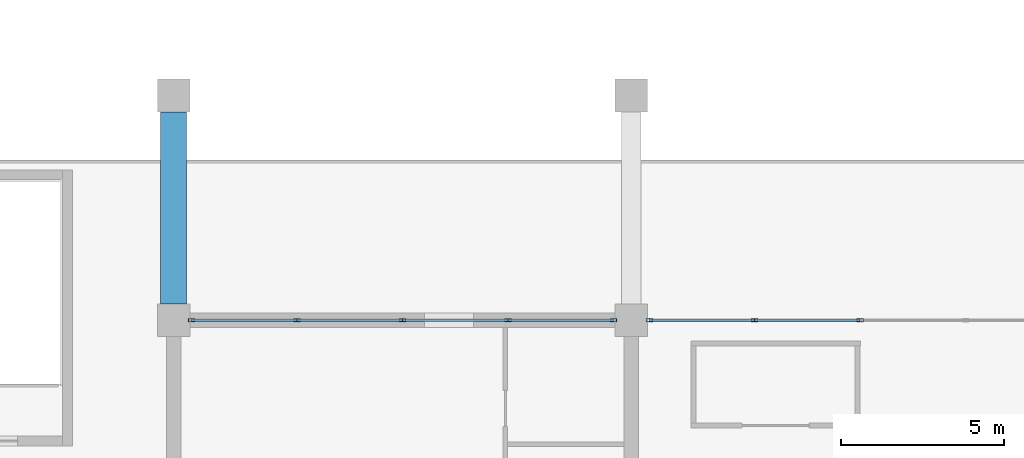
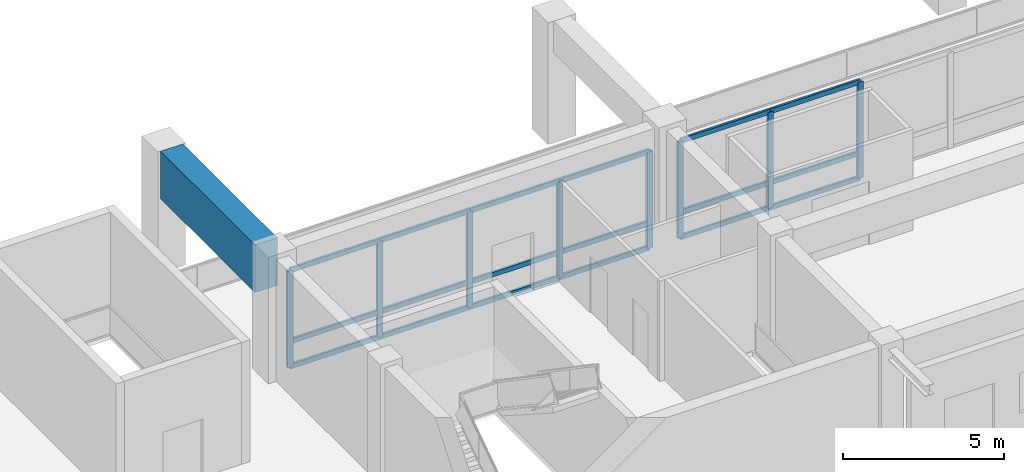
# One storey, part 22 of 91: 26 members, 1 beam, 2 elements without a shape of their own.
"""IFC4 building model written with IfcOpenShell, lengths in metres."""

from ifc_helpers import new_model, si_unit, direction, frame, origin, origin_2d, place, context, subcontext, project, spatial, rectangle, hollow_rectangle, extrude, material, material_profile, profile_set, type_object, element, aggregate, save


model = new_model("IFC4")

# Units and contexts
model_context = context("Model", 3, precision=1e-05, world=origin(), true_north=direction((0.0, 1.0)))
body_context = subcontext(model_context, "Body", "Model", "MODEL_VIEW")
ifc_project = project(units=[si_unit("LENGTHUNIT", "METRE"), si_unit("AREAUNIT", "SQUARE_METRE"), si_unit("VOLUMEUNIT", "CUBIC_METRE"), si_unit("PLANEANGLEUNIT", "RADIAN"), si_unit("MASSUNIT", "GRAM", prefix="KILO")], contexts=[model_context])

# Site, building, storey
site_placement = place(None, origin())
site = spatial("IfcSite", under=ifc_project, at=site_placement, CompositionType="ELEMENT")
building_placement = place(site_placement, origin())
building = spatial("IfcBuilding", under=site, at=building_placement, Name="Linyun Crest Stadium", CompositionType="ELEMENT")
storey_placement = place(building_placement, frame((0.0, 0.0, 11.39990234375)))
storey = spatial("IfcBuildingStorey", under=building, at=storey_placement, Name="L03", CompositionType="ELEMENT", Elevation=11.39990234375)

# Beam
ifc_material_1 = material(Name="Concrete C50", Category="concrete")
ifc_material_profile_1 = material_profile(ifc_material_1, rectangle(XDim=0.800048828125, YDim=1.800048828125, at=origin_2d()), Name="RCB 1800x800")
ifc_profile_set_1 = profile_set([ifc_material_profile_1], Name="Concrete C50")
beam_type = type_object("IfcBeamType", Name="B14", PredefinedType="BEAM", material=ifc_profile_set_1)
beam_placement = place(storey_placement, frame((-28.0, -73.0, 3.72021484375), z_axis=(0.0, 1.0, 0.0), x_axis=(-1.0, 0.0, 0.0)))
element("IfcBeam", 1, at=beam_placement, inside=storey, type_object=beam_type, Name="Frame beam B14 L03 933", PredefinedType="BEAM", context=body_context, shape_type="SweptSolid", body=[
    extrude(rectangle(XDim=0.800048828125, YDim=1.800048828125, at=origin_2d()), origin(), (0.0, 0.0, 1.0), 5.875),
])

# Curtain wall, members
ifc_material_2 = material(Name="Verdigris steel and low-E curtain wall assembly", Category="steel")
curtain_wall_type = type_object("IfcCurtainWallType", Name="MCW02", PredefinedType="NOTDEFINED", material=ifc_material_2)
curtain_wall_1_placement = place(storey_placement, origin())
curtain_wall_1 = element("IfcCurtainWall", 2, at=curtain_wall_1_placement, inside=storey, type_object=curtain_wall_type, Name="CWR-132", PredefinedType="NOTDEFINED")
ifc_material_3 = material(Name="Verdigris painted steel Q355C mullion", Category="steel")
ifc_material_profile_2 = material_profile(ifc_material_3, hollow_rectangle(XDim=0.10009765625, YDim=0.199951171875, WallThickness=0.008056640625, at=origin_2d()), Name="RHS 200x100x8")
ifc_profile_set_2 = profile_set([ifc_material_profile_2], Name="Verdigris painted steel Q355C mullion")
member_type_1 = type_object("IfcMemberType", Name="ML03", PredefinedType="MULLION", material=ifc_profile_set_2)
member_1_placement = place(storey_placement, frame((-27.449951171875, -73.5, 0.0), z_axis=(0.0, 0.0, 1.0), x_axis=(0.0, 1.0, 0.0)))
member_1 = element("IfcMember", 3, at=member_1_placement, type_object=member_type_1, Name="CWR-132 mullion 1", PredefinedType="MULLION", context=body_context, shape_type="SweptSolid", body=[
    extrude(hollow_rectangle(XDim=0.10009765625, YDim=0.199951171875, WallThickness=0.008056640625, at=origin_2d()), origin(), (0.0, 0.0, 1.0), 3.650146484375),
])
member_2_placement = place(storey_placement, frame((-24.22509765625, -73.5, 0.0), z_axis=(0.0, 0.0, 1.0), x_axis=(0.0, 1.0, 0.0)))
member_2 = element("IfcMember", 4, at=member_2_placement, type_object=member_type_1, Name="CWR-132 mullion 2", PredefinedType="MULLION", context=body_context, shape_type="SweptSolid", body=[
    extrude(hollow_rectangle(XDim=0.10009765625, YDim=0.199951171875, WallThickness=0.008056640625, at=origin_2d()), origin(), (0.0, 0.0, 1.0), 3.650146484375),
])
member_3_placement = place(storey_placement, frame((-21.0, -73.5, 0.0), z_axis=(0.0, 0.0, 1.0), x_axis=(0.0, 1.0, 0.0)))
member_3 = element("IfcMember", 5, at=member_3_placement, type_object=member_type_1, Name="CWR-132 mullion 3", PredefinedType="MULLION", context=body_context, shape_type="SweptSolid", body=[
    extrude(hollow_rectangle(XDim=0.10009765625, YDim=0.199951171875, WallThickness=0.008056640625, at=origin_2d()), origin(), (0.0, 0.0, 1.0), 3.650146484375),
])
member_4_placement = place(storey_placement, frame((-17.77490234375, -73.5, 0.0), z_axis=(0.0, 0.0, 1.0), x_axis=(0.0, 1.0, 0.0)))
member_4 = element("IfcMember", 6, at=member_4_placement, type_object=member_type_1, Name="CWR-132 mullion 4", PredefinedType="MULLION", context=body_context, shape_type="SweptSolid", body=[
    extrude(hollow_rectangle(XDim=0.10009765625, YDim=0.199951171875, WallThickness=0.008056640625, at=origin_2d()), origin(), (0.0, 0.0, 1.0), 3.650146484375),
])
member_5_placement = place(storey_placement, frame((-14.550048828125, -73.5, 0.0), z_axis=(0.0, 0.0, 1.0), x_axis=(0.0, 1.0, 0.0)))
member_5 = element("IfcMember", 7, at=member_5_placement, type_object=member_type_1, Name="CWR-132 mullion 5", PredefinedType="MULLION", context=body_context, shape_type="SweptSolid", body=[
    extrude(hollow_rectangle(XDim=0.10009765625, YDim=0.199951171875, WallThickness=0.008056640625, at=origin_2d()), origin(), (0.0, 0.0, 1.0), 3.650146484375),
])

curtain_wall_2_placement = place(storey_placement, origin())
curtain_wall_2 = element("IfcCurtainWall", 8, at=curtain_wall_2_placement, inside=storey, type_object=curtain_wall_type, Name="CWR-139", PredefinedType="NOTDEFINED")
member_6_placement = place(storey_placement, frame((-13.449951171875, -73.5, 0.0), z_axis=(0.0, 0.0, 1.0), x_axis=(0.0, 1.0, 0.0)))
member_6 = element("IfcMember", 9, at=member_6_placement, type_object=member_type_1, Name="CWR-139 mullion 1", PredefinedType="MULLION", context=body_context, shape_type="SweptSolid", body=[
    extrude(hollow_rectangle(XDim=0.10009765625, YDim=0.199951171875, WallThickness=0.008056640625, at=origin_2d()), origin(), (0.0, 0.0, 1.0), 3.650146484375),
])
member_7_placement = place(storey_placement, frame((-10.22509765625, -73.5, 0.0), z_axis=(0.0, 0.0, 1.0), x_axis=(0.0, 1.0, 0.0)))
member_7 = element("IfcMember", 10, at=member_7_placement, type_object=member_type_1, Name="CWR-139 mullion 2", PredefinedType="MULLION", context=body_context, shape_type="SweptSolid", body=[
    extrude(hollow_rectangle(XDim=0.10009765625, YDim=0.199951171875, WallThickness=0.008056640625, at=origin_2d()), origin(), (0.0, 0.0, 1.0), 3.650146484375),
])
member_8_placement = place(storey_placement, frame((-7.0, -73.5, 0.0), z_axis=(0.0, 0.0, 1.0), x_axis=(0.0, 1.0, 0.0)))
member_8 = element("IfcMember", 11, at=member_8_placement, type_object=member_type_1, Name="CWR-139 mullion 3", PredefinedType="MULLION", context=body_context, shape_type="SweptSolid", body=[
    extrude(hollow_rectangle(XDim=0.10009765625, YDim=0.199951171875, WallThickness=0.008056640625, at=origin_2d()), origin(), (0.0, 0.0, 1.0), 3.650146484375),
])

# Member
ifc_material_4 = material(Name="Verdigris painted steel Q355B transom", Category="steel")
ifc_material_profile_3 = material_profile(ifc_material_4, hollow_rectangle(XDim=0.080078125, YDim=0.179931640625, WallThickness=0.006103515625, at=origin_2d()), Name="RHS 180x80x6")
ifc_profile_set_3 = profile_set([ifc_material_profile_3], Name="Verdigris painted steel Q355B transom")
member_type_2 = type_object("IfcMemberType", Name="TR02", PredefinedType="USERDEFINED", material=ifc_profile_set_3)
member_9_placement = place(storey_placement, frame((-27.449951171875, -73.5, 0.0), z_axis=(1.0, 0.0, 0.0), x_axis=(0.0, 1.0, 0.0)))
member_9 = element("IfcMember", 12, at=member_9_placement, type_object=member_type_2, Name="CWR-132 transom 1.1", ObjectType="TRANSOM", PredefinedType="USERDEFINED", context=body_context, shape_type="SweptSolid", body=[
    extrude(hollow_rectangle(XDim=0.080078125, YDim=0.179931640625, WallThickness=0.006103515625, at=origin_2d()), origin(), (0.0, 0.0, 1.0), 3.224853515625),
])

member_10_placement = place(storey_placement, frame((-27.449951171875, -73.5, 0.9501953125), z_axis=(1.0, 0.0, 0.0), x_axis=(0.0, 1.0, 0.0)))
member_10 = element("IfcMember", 13, at=member_10_placement, type_object=member_type_2, Name="CWR-132 transom 1.2", ObjectType="TRANSOM", PredefinedType="USERDEFINED", context=body_context, shape_type="SweptSolid", body=[
    extrude(hollow_rectangle(XDim=0.080078125, YDim=0.179931640625, WallThickness=0.006103515625, at=origin_2d()), origin(), (0.0, 0.0, 1.0), 3.224853515625),
])

member_11_placement = place(storey_placement, frame((-27.449951171875, -73.5, 3.650146484375), z_axis=(1.0, 0.0, 0.0), x_axis=(0.0, 1.0, 0.0)))
member_11 = element("IfcMember", 14, at=member_11_placement, type_object=member_type_2, Name="CWR-132 transom 1.3", ObjectType="TRANSOM", PredefinedType="USERDEFINED", context=body_context, shape_type="SweptSolid", body=[
    extrude(hollow_rectangle(XDim=0.080078125, YDim=0.179931640625, WallThickness=0.006103515625, at=origin_2d()), origin(), (0.0, 0.0, 1.0), 3.224853515625),
])

member_12_placement = place(storey_placement, frame((-24.22509765625, -73.5, 0.0), z_axis=(1.0, 0.0, 0.0), x_axis=(0.0, 1.0, 0.0)))
member_12 = element("IfcMember", 15, at=member_12_placement, type_object=member_type_2, Name="CWR-132 transom 2.1", ObjectType="TRANSOM", PredefinedType="USERDEFINED", context=body_context, shape_type="SweptSolid", body=[
    extrude(hollow_rectangle(XDim=0.080078125, YDim=0.179931640625, WallThickness=0.006103515625, at=origin_2d()), origin(), (0.0, 0.0, 1.0), 3.22509765625),
])

member_13_placement = place(storey_placement, frame((-24.22509765625, -73.5, 0.9501953125), z_axis=(1.0, 0.0, 0.0), x_axis=(0.0, 1.0, 0.0)))
member_13 = element("IfcMember", 16, at=member_13_placement, type_object=member_type_2, Name="CWR-132 transom 2.2", ObjectType="TRANSOM", PredefinedType="USERDEFINED", context=body_context, shape_type="SweptSolid", body=[
    extrude(hollow_rectangle(XDim=0.080078125, YDim=0.179931640625, WallThickness=0.006103515625, at=origin_2d()), origin(), (0.0, 0.0, 1.0), 3.22509765625),
])

member_14_placement = place(storey_placement, frame((-24.22509765625, -73.5, 3.650146484375), z_axis=(1.0, 0.0, 0.0), x_axis=(0.0, 1.0, 0.0)))
member_14 = element("IfcMember", 17, at=member_14_placement, type_object=member_type_2, Name="CWR-132 transom 2.3", ObjectType="TRANSOM", PredefinedType="USERDEFINED", context=body_context, shape_type="SweptSolid", body=[
    extrude(hollow_rectangle(XDim=0.080078125, YDim=0.179931640625, WallThickness=0.006103515625, at=origin_2d()), origin(), (0.0, 0.0, 1.0), 3.22509765625),
])

member_15_placement = place(storey_placement, frame((-21.0, -73.5, 0.0), z_axis=(1.0, 0.0, 0.0), x_axis=(0.0, 1.0, 0.0)))
member_15 = element("IfcMember", 18, at=member_15_placement, type_object=member_type_2, Name="CWR-132 transom 3.1", ObjectType="TRANSOM", PredefinedType="USERDEFINED", context=body_context, shape_type="SweptSolid", body=[
    extrude(hollow_rectangle(XDim=0.080078125, YDim=0.179931640625, WallThickness=0.006103515625, at=origin_2d()), origin(), (0.0, 0.0, 1.0), 3.22509765625),
])

member_16_placement = place(storey_placement, frame((-21.0, -73.5, 0.9501953125), z_axis=(1.0, 0.0, 0.0), x_axis=(0.0, 1.0, 0.0)))
member_16 = element("IfcMember", 19, at=member_16_placement, type_object=member_type_2, Name="CWR-132 transom 3.2", ObjectType="TRANSOM", PredefinedType="USERDEFINED", context=body_context, shape_type="SweptSolid", body=[
    extrude(hollow_rectangle(XDim=0.080078125, YDim=0.179931640625, WallThickness=0.006103515625, at=origin_2d()), origin(), (0.0, 0.0, 1.0), 3.22509765625),
])

member_17_placement = place(storey_placement, frame((-21.0, -73.5, 3.650146484375), z_axis=(1.0, 0.0, 0.0), x_axis=(0.0, 1.0, 0.0)))
member_17 = element("IfcMember", 20, at=member_17_placement, type_object=member_type_2, Name="CWR-132 transom 3.3", ObjectType="TRANSOM", PredefinedType="USERDEFINED", context=body_context, shape_type="SweptSolid", body=[
    extrude(hollow_rectangle(XDim=0.080078125, YDim=0.179931640625, WallThickness=0.006103515625, at=origin_2d()), origin(), (0.0, 0.0, 1.0), 3.22509765625),
])

member_18_placement = place(storey_placement, frame((-17.77490234375, -73.5, 0.0), z_axis=(1.0, 0.0, 0.0), x_axis=(0.0, 1.0, 0.0)))
member_18 = element("IfcMember", 21, at=member_18_placement, type_object=member_type_2, Name="CWR-132 transom 4.1", ObjectType="TRANSOM", PredefinedType="USERDEFINED", context=body_context, shape_type="SweptSolid", body=[
    extrude(hollow_rectangle(XDim=0.080078125, YDim=0.179931640625, WallThickness=0.006103515625, at=origin_2d()), origin(), (0.0, 0.0, 1.0), 3.224853515625),
])

member_19_placement = place(storey_placement, frame((-17.77490234375, -73.5, 0.9501953125), z_axis=(1.0, 0.0, 0.0), x_axis=(0.0, 1.0, 0.0)))
member_19 = element("IfcMember", 22, at=member_19_placement, type_object=member_type_2, Name="CWR-132 transom 4.2", ObjectType="TRANSOM", PredefinedType="USERDEFINED", context=body_context, shape_type="SweptSolid", body=[
    extrude(hollow_rectangle(XDim=0.080078125, YDim=0.179931640625, WallThickness=0.006103515625, at=origin_2d()), origin(), (0.0, 0.0, 1.0), 3.224853515625),
])

member_20_placement = place(storey_placement, frame((-17.77490234375, -73.5, 3.650146484375), z_axis=(1.0, 0.0, 0.0), x_axis=(0.0, 1.0, 0.0)))
member_20 = element("IfcMember", 23, at=member_20_placement, type_object=member_type_2, Name="CWR-132 transom 4.3", ObjectType="TRANSOM", PredefinedType="USERDEFINED", context=body_context, shape_type="SweptSolid", body=[
    extrude(hollow_rectangle(XDim=0.080078125, YDim=0.179931640625, WallThickness=0.006103515625, at=origin_2d()), origin(), (0.0, 0.0, 1.0), 3.224853515625),
])

aggregate(curtain_wall_1, [member_1, member_2, member_3, member_4, member_5, member_9, member_10, member_11, member_12, member_13, member_14, member_15, member_16, member_17, member_18, member_19, member_20])

member_21_placement = place(storey_placement, frame((-13.449951171875, -73.5, 0.0), z_axis=(1.0, 0.0, 0.0), x_axis=(0.0, 1.0, 0.0)))
member_21 = element("IfcMember", 24, at=member_21_placement, type_object=member_type_2, Name="CWR-139 transom 1.1", ObjectType="TRANSOM", PredefinedType="USERDEFINED", context=body_context, shape_type="SweptSolid", body=[
    extrude(hollow_rectangle(XDim=0.080078125, YDim=0.179931640625, WallThickness=0.006103515625, at=origin_2d()), origin(), (0.0, 0.0, 1.0), 3.224853515625),
])

member_22_placement = place(storey_placement, frame((-13.449951171875, -73.5, 0.9501953125), z_axis=(1.0, 0.0, 0.0), x_axis=(0.0, 1.0, 0.0)))
member_22 = element("IfcMember", 25, at=member_22_placement, type_object=member_type_2, Name="CWR-139 transom 1.2", ObjectType="TRANSOM", PredefinedType="USERDEFINED", context=body_context, shape_type="SweptSolid", body=[
    extrude(hollow_rectangle(XDim=0.080078125, YDim=0.179931640625, WallThickness=0.006103515625, at=origin_2d()), origin(), (0.0, 0.0, 1.0), 3.224853515625),
])

member_23_placement = place(storey_placement, frame((-13.449951171875, -73.5, 3.650146484375), z_axis=(1.0, 0.0, 0.0), x_axis=(0.0, 1.0, 0.0)))
member_23 = element("IfcMember", 26, at=member_23_placement, type_object=member_type_2, Name="CWR-139 transom 1.3", ObjectType="TRANSOM", PredefinedType="USERDEFINED", context=body_context, shape_type="SweptSolid", body=[
    extrude(hollow_rectangle(XDim=0.080078125, YDim=0.179931640625, WallThickness=0.006103515625, at=origin_2d()), origin(), (0.0, 0.0, 1.0), 3.224853515625),
])

member_24_placement = place(storey_placement, frame((-10.22509765625, -73.5, 0.0), z_axis=(1.0, 0.0, 0.0), x_axis=(0.0, 1.0, 0.0)))
member_24 = element("IfcMember", 27, at=member_24_placement, type_object=member_type_2, Name="CWR-139 transom 2.1", ObjectType="TRANSOM", PredefinedType="USERDEFINED", context=body_context, shape_type="SweptSolid", body=[
    extrude(hollow_rectangle(XDim=0.080078125, YDim=0.179931640625, WallThickness=0.006103515625, at=origin_2d()), origin(), (0.0, 0.0, 1.0), 3.22509765625),
])

member_25_placement = place(storey_placement, frame((-10.22509765625, -73.5, 0.9501953125), z_axis=(1.0, 0.0, 0.0), x_axis=(0.0, 1.0, 0.0)))
member_25 = element("IfcMember", 28, at=member_25_placement, type_object=member_type_2, Name="CWR-139 transom 2.2", ObjectType="TRANSOM", PredefinedType="USERDEFINED", context=body_context, shape_type="SweptSolid", body=[
    extrude(hollow_rectangle(XDim=0.080078125, YDim=0.179931640625, WallThickness=0.006103515625, at=origin_2d()), origin(), (0.0, 0.0, 1.0), 3.22509765625),
])

member_26_placement = place(storey_placement, frame((-10.22509765625, -73.5, 3.650146484375), z_axis=(1.0, 0.0, 0.0), x_axis=(0.0, 1.0, 0.0)))
member_26 = element("IfcMember", 29, at=member_26_placement, type_object=member_type_2, Name="CWR-139 transom 2.3", ObjectType="TRANSOM", PredefinedType="USERDEFINED", context=body_context, shape_type="SweptSolid", body=[
    extrude(hollow_rectangle(XDim=0.080078125, YDim=0.179931640625, WallThickness=0.006103515625, at=origin_2d()), origin(), (0.0, 0.0, 1.0), 3.22509765625),
])

aggregate(curtain_wall_2, [member_6, member_7, member_8, member_21, member_22, member_23, member_24, member_25, member_26])

save(model, "model.ifc")
